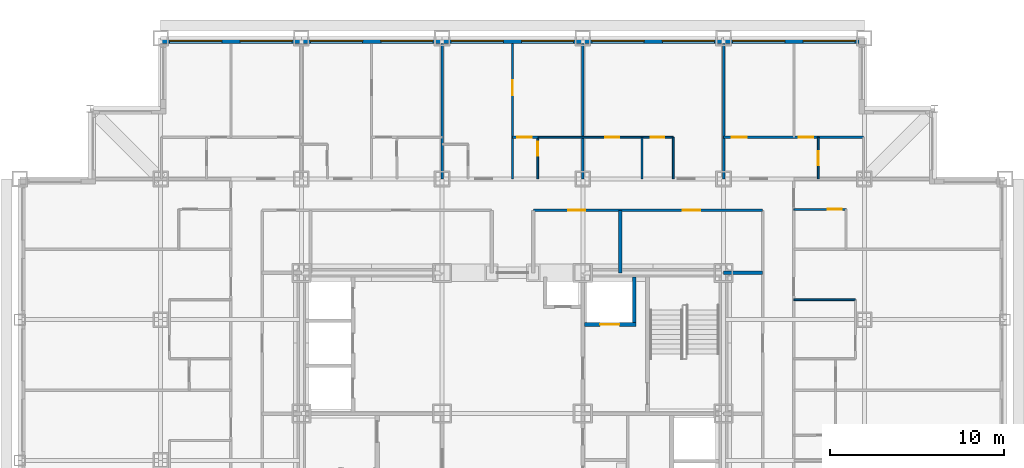
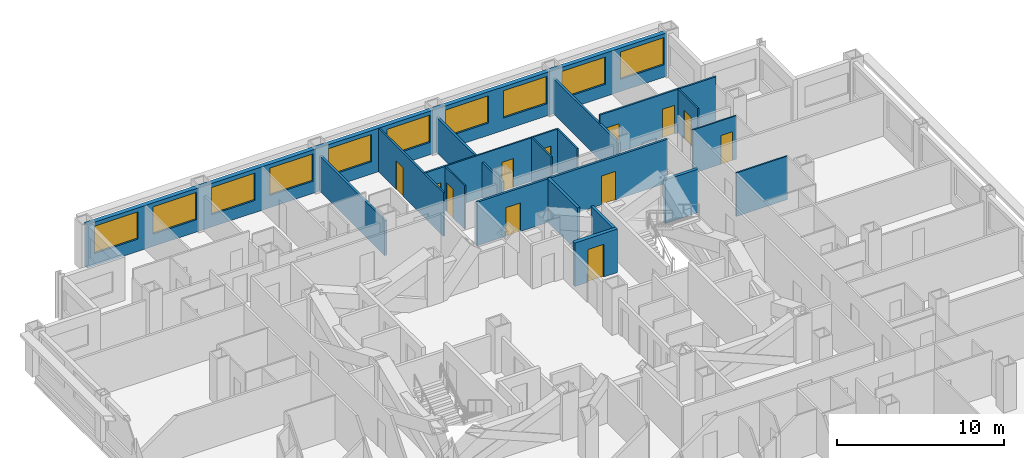
# One storey, part 10 of 13: 19 walls, 12 doors, 10 windows, 22 openings.
"""IFC4 building model written with IfcOpenShell, lengths in metres."""

from ifc_helpers import new_model, si_unit, direction, frame, frame_2d, origin, place, context, subcontext, project, spatial, rectangle, extrude, material, layer, layer_set, type_object, element, fill, save


model = new_model("IFC4")

# Units and contexts
model_context = context("Model", 3, precision=1e-05, world=origin(), true_north=direction((0.0, 1.0)))
body_context = subcontext(model_context, "Body", "Model", "MODEL_VIEW")
ifc_project = project(units=[si_unit("LENGTHUNIT", "METRE"), si_unit("AREAUNIT", "SQUARE_METRE"), si_unit("VOLUMEUNIT", "CUBIC_METRE"), si_unit("PLANEANGLEUNIT", "RADIAN"), si_unit("MASSUNIT", "GRAM", prefix="KILO")], contexts=[model_context])

# Site, building, storey
site_placement = place(None, origin())
site = spatial("IfcSite", under=ifc_project, at=site_placement, CompositionType="ELEMENT")
building_placement = place(site_placement, origin())
building = spatial("IfcBuilding", under=site, at=building_placement, Name="Kopane Lantern Tower", CompositionType="ELEMENT")
storey_placement = place(building_placement, frame((0.0, 0.0, 113.60009765625)))
storey = spatial("IfcBuildingStorey", under=building, at=storey_placement, Name="L28", CompositionType="ELEMENT", Elevation=113.60009765625)

# Wall, opening, door
ifc_material_1 = material(Name="Gypsum board on steel studs", Category="steel")
ifc_layer_1 = layer(ifc_material_1, 0.1201171875)
ifc_layer_set_1 = layer_set([ifc_layer_1], Name="APARTMENT INTERNAL WALL 120")
wall_type_1 = type_object("IfcWallType", Name="APARTMENT INTERNAL WALL 120", PredefinedType="PARTITIONING", material=ifc_layer_set_1)
wall_1_placement = place(storey_placement, frame((28.35009765625, 45.89990234375, 0.0), z_axis=(0.0, 0.0, 1.0), x_axis=(0.0, 1.0, 0.0)))
wall_1 = element("IfcWall", 1, at=wall_1_placement, inside=storey, type_object=wall_type_1, Name="Apartment Internal Wall 120 L28", PredefinedType="PARTITIONING", context=body_context, shape_type="SweptSolid", body=[
    extrude(rectangle(XDim=7.800048828125, YDim=0.1201171875, at=frame_2d((3.89990234375, 0.0))), origin(), (0.0, 0.0, 1.0), 3.18994140625),
])
opening_1_placement = place(wall_1_placement, frame((4.824951171875, 0.0, 0.0)))
opening_1 = element("IfcOpeningElement", 2, at=opening_1_placement, cuts=wall_1, Name="Opening L28-031", PredefinedType="OPENING", context=body_context, shape_type="SweptSolid", body=[
    extrude(rectangle(XDim=0.85009765625, YDim=2.10009765625, at=frame_2d((0.425048828125, 1.050048828125))), frame((0.0, 0.070068359375, 0.0), z_axis=(0.0, -1.0, 0.0), x_axis=(1.0, 0.0, 0.0)), (0.0, 0.0, 1.0), 0.14013671875),
])
ifc_material_2 = material(Name="Timber door set", Category="wood")
door_type_1 = type_object("IfcDoorType", Name="DOOR D4 850x2100", OperationType="SINGLE_SWING_LEFT", PredefinedType="DOOR", material=ifc_material_2)
door_1_placement = place(opening_1_placement, origin())
door_1 = element("IfcDoor", 3, at=door_1_placement, inside=storey, type_object=door_type_1, Name="Door L28-031", OperationType="SINGLE_SWING_RIGHT", OverallHeight=2.10009765625, OverallWidth=0.85009765625, PredefinedType="DOOR", context=body_context, shape_type="SweptSolid", body=[
    extrude(rectangle(XDim=0.85009765625, YDim=2.10009765625, at=frame_2d((0.425048828125, 1.050048828125))), frame((0.0, 0.02490234375, 0.0), z_axis=(0.0, -1.0, 0.0), x_axis=(1.0, 0.0, 0.0)), (0.0, 0.0, 1.0), 0.050048828125),
])
fill(opening_1, door_1)

# Wall, openings, doors
wall_2_placement = place(storey_placement, frame((40.5, 48.300048828125, 0.0), z_axis=(0.0, 0.0, 1.0), x_axis=(1.0, 0.0, 0.0)))
wall_2 = element("IfcWall", 4, at=wall_2_placement, inside=storey, type_object=wall_type_1, Name="Apartment Internal Wall 120 L28", PredefinedType="PARTITIONING", context=body_context, shape_type="SweptSolid", body=[
    extrude(rectangle(XDim=8.050048828125, YDim=0.1201171875, at=frame_2d((4.02490234375, 0.0))), origin(), (0.0, 0.0, 1.0), 3.18994140625),
])
opening_2_placement = place(wall_2_placement, frame((0.47509765625, 0.0, 0.0)))
opening_2 = element("IfcOpeningElement", 5, at=opening_2_placement, cuts=wall_2, Name="Opening L28-068", PredefinedType="OPENING", context=body_context, shape_type="SweptSolid", body=[
    extrude(rectangle(XDim=0.85009765625, YDim=2.10009765625, at=frame_2d((0.425048828125, 1.050048828125))), frame((0.0, 0.070068359375, 0.0), z_axis=(0.0, -1.0, 0.0), x_axis=(1.0, 0.0, 0.0)), (0.0, 0.0, 1.0), 0.14013671875),
])
opening_3_placement = place(wall_2_placement, frame((4.324951171875, 0.0, 0.0)))
opening_3 = element("IfcOpeningElement", 6, at=opening_3_placement, cuts=wall_2, Name="Opening L28-070", PredefinedType="OPENING", context=body_context, shape_type="SweptSolid", body=[
    extrude(rectangle(XDim=0.85009765625, YDim=2.10009765625, at=frame_2d((0.425048828125, 1.050048828125))), frame((0.0, 0.070068359375, 0.0), z_axis=(0.0, -1.0, 0.0), x_axis=(1.0, 0.0, 0.0)), (0.0, 0.0, 1.0), 0.14013671875),
])
door_2_placement = place(opening_2_placement, origin())
door_2 = element("IfcDoor", 7, at=door_2_placement, inside=storey, type_object=door_type_1, Name="Door L28-068", OperationType="SINGLE_SWING_RIGHT", OverallHeight=2.10009765625, OverallWidth=0.85009765625, PredefinedType="DOOR", context=body_context, shape_type="SweptSolid", body=[
    extrude(rectangle(XDim=0.85009765625, YDim=2.10009765625, at=frame_2d((0.425048828125, 1.050048828125))), frame((0.0, 0.02490234375, 0.0), z_axis=(0.0, -1.0, 0.0), x_axis=(1.0, 0.0, 0.0)), (0.0, 0.0, 1.0), 0.050048828125),
])
fill(opening_2, door_2)
door_3_placement = place(opening_3_placement, origin())
door_3 = element("IfcDoor", 8, at=door_3_placement, inside=storey, type_object=door_type_1, Name="Door L28-070", OperationType="SINGLE_SWING_LEFT", OverallHeight=2.10009765625, OverallWidth=0.85009765625, PredefinedType="DOOR", context=body_context, shape_type="SweptSolid", body=[
    extrude(rectangle(XDim=0.85009765625, YDim=2.10009765625, at=frame_2d((0.425048828125, 1.050048828125))), frame((0.0, 0.02490234375, 0.0), z_axis=(0.0, -1.0, 0.0), x_axis=(1.0, 0.0, 0.0)), (0.0, 0.0, 1.0), 0.050048828125),
])
fill(opening_3, door_3)

# Wall, opening, door
wall_3_placement = place(storey_placement, frame((28.35009765625, 48.300048828125, 0.0), z_axis=(0.0, 0.0, 1.0), x_axis=(1.0, 0.0, 0.0)))
wall_3 = element("IfcWall", 9, at=wall_3_placement, inside=storey, type_object=wall_type_1, Name="Apartment Internal Wall 120 L28", PredefinedType="PARTITIONING", context=body_context, shape_type="SweptSolid", body=[
    extrude(rectangle(XDim=1.4599609375, YDim=0.1201171875, at=frame_2d((0.72998046875, 0.0))), origin(), (0.0, 0.0, 1.0), 3.18994140625),
])
opening_4_placement = place(wall_3_placement, frame((0.27490234375, 0.0, 0.0)))
opening_4 = element("IfcOpeningElement", 10, at=opening_4_placement, cuts=wall_3, Name="Opening L28-079", PredefinedType="OPENING", context=body_context, shape_type="SweptSolid", body=[
    extrude(rectangle(XDim=0.85009765625, YDim=2.10009765625, at=frame_2d((0.425048828125, 1.050048828125))), frame((0.0, 0.070068359375, 0.0), z_axis=(0.0, -1.0, 0.0), x_axis=(1.0, 0.0, 0.0)), (0.0, 0.0, 1.0), 0.14013671875),
])
door_4_placement = place(opening_4_placement, origin())
door_4 = element("IfcDoor", 11, at=door_4_placement, inside=storey, type_object=door_type_1, Name="Door L28-079", OperationType="SINGLE_SWING_LEFT", OverallHeight=2.10009765625, OverallWidth=0.85009765625, PredefinedType="DOOR", context=body_context, shape_type="SweptSolid", body=[
    extrude(rectangle(XDim=0.85009765625, YDim=2.10009765625, at=frame_2d((0.425048828125, 1.050048828125))), frame((0.0, 0.02490234375, 0.0), z_axis=(0.0, -1.0, 0.0), x_axis=(1.0, 0.0, 0.0)), (0.0, 0.0, 1.0), 0.050048828125),
])
fill(opening_4, door_4)

# Wall, openings, doors
ifc_material_3 = material(Name="Moisture-resistant board on steel studs", Category="steel")
ifc_layer_2 = layer(ifc_material_3, 0.10009765625)
ifc_layer_set_2 = layer_set([ifc_layer_2], Name="BATHROOM WALL 100")
wall_type_2 = type_object("IfcWallType", Name="BATHROOM WALL 100", PredefinedType="PARTITIONING", material=ifc_layer_set_2)
wall_4_placement = place(storey_placement, frame((29.800048828125, 48.300048828125, 0.0), z_axis=(0.0, 0.0, 1.0), x_axis=(1.0, 0.0, 0.0)))
wall_4 = element("IfcWall", 12, at=wall_4_placement, inside=storey, type_object=wall_type_2, Name="Bathroom Wall 100 L28", PredefinedType="PARTITIONING", context=body_context, shape_type="SweptSolid", body=[
    extrude(rectangle(XDim=7.800048828125, YDim=0.10009765625, at=frame_2d((3.89990234375, 0.0))), origin(), (0.0, 0.0, 1.0), 3.18994140625),
])
opening_5_placement = place(wall_4_placement, frame((3.89990234375, 0.0, 0.0)))
opening_5 = element("IfcOpeningElement", 13, at=opening_5_placement, cuts=wall_4, Name="Opening L28-032", PredefinedType="OPENING", context=body_context, shape_type="SweptSolid", body=[
    extrude(rectangle(XDim=0.800048828125, YDim=2.10009765625, at=frame_2d((0.39990234375, 1.050048828125))), frame((0.0, 0.06005859375, 0.0), z_axis=(0.0, -1.0, 0.0), x_axis=(1.0, 0.0, 0.0)), (0.0, 0.0, 1.0), 0.1201171875),
])
opening_6_placement = place(wall_4_placement, frame((6.5, 0.0, 0.0)))
opening_6 = element("IfcOpeningElement", 14, at=opening_6_placement, cuts=wall_4, Name="Opening L28-033", PredefinedType="OPENING", context=body_context, shape_type="SweptSolid", body=[
    extrude(rectangle(XDim=0.800048828125, YDim=2.10009765625, at=frame_2d((0.39990234375, 1.050048828125))), frame((0.0, 0.06005859375, 0.0), z_axis=(0.0, -1.0, 0.0), x_axis=(1.0, 0.0, 0.0)), (0.0, 0.0, 1.0), 0.1201171875),
])
ifc_material_4 = material(Name="Timber door set", Category="wood")
door_type_2 = type_object("IfcDoorType", Name="DOOR D2 800x2100", OperationType="SINGLE_SWING_LEFT", PredefinedType="DOOR", material=ifc_material_4)
door_5_placement = place(opening_5_placement, origin())
door_5 = element("IfcDoor", 15, at=door_5_placement, inside=storey, type_object=door_type_2, Name="Door L28-032", OperationType="SINGLE_SWING_LEFT", OverallHeight=2.10009765625, OverallWidth=0.800048828125, PredefinedType="DOOR", context=body_context, shape_type="SweptSolid", body=[
    extrude(rectangle(XDim=0.800048828125, YDim=2.10009765625, at=frame_2d((0.39990234375, 1.050048828125))), frame((0.0, 0.02490234375, 0.0), z_axis=(0.0, -1.0, 0.0), x_axis=(1.0, 0.0, 0.0)), (0.0, 0.0, 1.0), 0.050048828125),
])
fill(opening_5, door_5)
door_6_placement = place(opening_6_placement, origin())
door_6 = element("IfcDoor", 16, at=door_6_placement, inside=storey, type_object=door_type_2, Name="Door L28-033", OperationType="SINGLE_SWING_LEFT", OverallHeight=2.10009765625, OverallWidth=0.800048828125, PredefinedType="DOOR", context=body_context, shape_type="SweptSolid", body=[
    extrude(rectangle(XDim=0.800048828125, YDim=2.10009765625, at=frame_2d((0.39990234375, 1.050048828125))), frame((0.0, 0.02490234375, 0.0), z_axis=(0.0, -1.0, 0.0), x_axis=(1.0, 0.0, 0.0)), (0.0, 0.0, 1.0), 0.050048828125),
])
fill(opening_6, door_6)

# Wall, opening, door
wall_5_placement = place(storey_placement, frame((29.800048828125, 45.89990234375, 0.0), z_axis=(0.0, 0.0, 1.0), x_axis=(0.0, 1.0, 0.0)))
wall_5 = element("IfcWall", 17, at=wall_5_placement, inside=storey, type_object=wall_type_2, Name="Bathroom Wall 100 L28", PredefinedType="PARTITIONING", context=body_context, shape_type="SweptSolid", body=[
    extrude(rectangle(XDim=2.400146484375, YDim=0.10009765625, at=frame_2d((1.2001953125, 0.0))), origin(), (0.0, 0.0, 1.0), 3.18994140625),
])
opening_7_placement = place(wall_5_placement, frame((1.35009765625, 0.0, 0.0)))
opening_7 = element("IfcOpeningElement", 18, at=opening_7_placement, cuts=wall_5, Name="Opening L28-030", PredefinedType="OPENING", context=body_context, shape_type="SweptSolid", body=[
    extrude(rectangle(XDim=0.800048828125, YDim=2.10009765625, at=frame_2d((0.39990234375, 1.050048828125))), frame((0.0, 0.06005859375, 0.0), z_axis=(0.0, -1.0, 0.0), x_axis=(1.0, 0.0, 0.0)), (0.0, 0.0, 1.0), 0.1201171875),
])
door_7_placement = place(opening_7_placement, origin())
door_7 = element("IfcDoor", 19, at=door_7_placement, inside=storey, type_object=door_type_2, Name="Door L28-030", OperationType="SINGLE_SWING_RIGHT", OverallHeight=2.10009765625, OverallWidth=0.800048828125, PredefinedType="DOOR", context=body_context, shape_type="SweptSolid", body=[
    extrude(rectangle(XDim=0.800048828125, YDim=2.10009765625, at=frame_2d((0.39990234375, 1.050048828125))), frame((0.0, 0.02490234375, 0.0), z_axis=(0.0, -1.0, 0.0), x_axis=(1.0, 0.0, 0.0)), (0.0, 0.0, 1.0), 0.050048828125),
])
fill(opening_7, door_7)

# Walls
for number, where, z_axis, x_axis, name in (
    (20, (35.800048828125, 45.89990234375, 0.0), (0.0, 0.0, 1.0), (0.0, 1.0, 0.0), "Bathroom Wall 100 L28"),
    (21, (37.60009765625, 45.89990234375, 0.0), (0.0, 0.0, 1.0), (0.0, 1.0, 0.0), "Bathroom Wall 100 L28"),
):
    element("IfcWall", number, at=place(storey_placement, frame(where, z_axis=z_axis, x_axis=x_axis)), inside=storey, type_object=wall_type_2, Name=name, PredefinedType="PARTITIONING", context=body_context, shape_type="SweptSolid", body=[
        extrude(rectangle(XDim=2.400146484375, YDim=0.10009765625, at=frame_2d((1.2001953125, 0.0))), origin(), (0.0, 0.0, 1.0), 3.18994140625),
    ])
wall_6_placement = place(storey_placement, frame((44.550048828125, 38.949951171875, 0.0), z_axis=(0.0, 0.0, 1.0), x_axis=(1.0, 0.0, 0.0)))
element("IfcWall", 22, at=wall_6_placement, inside=storey, type_object=wall_type_2, Name="Bathroom Wall 100 L28", PredefinedType="PARTITIONING", context=body_context, shape_type="SweptSolid", body=[
    extrude(rectangle(XDim=3.5400390625, YDim=0.10009765625, at=frame_2d((1.77001953125, 0.0))), origin(), (0.0, 0.0, 1.0), 3.18994140625),
])

# Wall, opening, door
wall_7_placement = place(storey_placement, frame((44.550048828125, 44.14990234375, 0.0), z_axis=(0.0, 0.0, 1.0), x_axis=(1.0, 0.0, 0.0)))
wall_7 = element("IfcWall", 23, at=wall_7_placement, inside=storey, type_object=wall_type_2, Name="Bathroom Wall 100 L28", PredefinedType="PARTITIONING", context=body_context, shape_type="SweptSolid", body=[
    extrude(rectangle(XDim=3.0, YDim=0.10009765625, at=frame_2d((1.5, 0.0))), origin(), (0.0, 0.0, 1.0), 3.18994140625),
])
opening_8_placement = place(wall_7_placement, frame((1.949951171875, 0.0, 0.0)))
opening_8 = element("IfcOpeningElement", 24, at=opening_8_placement, cuts=wall_7, Name="Opening L28-057", PredefinedType="OPENING", context=body_context, shape_type="SweptSolid", body=[
    extrude(rectangle(XDim=0.800048828125, YDim=2.10009765625, at=frame_2d((0.39990234375, 1.050048828125))), frame((0.0, 0.06005859375, 0.0), z_axis=(0.0, -1.0, 0.0), x_axis=(1.0, 0.0, 0.0)), (0.0, 0.0, 1.0), 0.1201171875),
])
door_8_placement = place(opening_8_placement, origin())
door_8 = element("IfcDoor", 25, at=door_8_placement, inside=storey, type_object=door_type_2, Name="Door L28-057", OperationType="SINGLE_SWING_LEFT", OverallHeight=2.10009765625, OverallWidth=0.800048828125, PredefinedType="DOOR", context=body_context, shape_type="SweptSolid", body=[
    extrude(rectangle(XDim=0.800048828125, YDim=2.10009765625, at=frame_2d((0.39990234375, 1.050048828125))), frame((0.0, 0.02490234375, 0.0), z_axis=(0.0, -1.0, 0.0), x_axis=(1.0, 0.0, 0.0)), (0.0, 0.0, 1.0), 0.050048828125),
])
fill(opening_8, door_8)

wall_8_placement = place(storey_placement, frame((45.949951171875, 45.89990234375, 0.0), z_axis=(0.0, 0.0, 1.0), x_axis=(0.0, 1.0, 0.0)))
wall_8 = element("IfcWall", 26, at=wall_8_placement, inside=storey, type_object=wall_type_2, Name="Bathroom Wall 100 L28", PredefinedType="PARTITIONING", context=body_context, shape_type="SweptSolid", body=[
    extrude(rectangle(XDim=2.400146484375, YDim=0.10009765625, at=frame_2d((1.2001953125, 0.0))), origin(), (0.0, 0.0, 1.0), 3.18994140625),
])
opening_9_placement = place(wall_8_placement, frame((0.800048828125, 0.0, 0.0)))
opening_9 = element("IfcOpeningElement", 27, at=opening_9_placement, cuts=wall_8, Name="Opening L28-069", PredefinedType="OPENING", context=body_context, shape_type="SweptSolid", body=[
    extrude(rectangle(XDim=0.800048828125, YDim=2.10009765625, at=frame_2d((0.39990234375, 1.050048828125))), frame((0.0, 0.06005859375, 0.0), z_axis=(0.0, -1.0, 0.0), x_axis=(1.0, 0.0, 0.0)), (0.0, 0.0, 1.0), 0.1201171875),
])
door_9_placement = place(opening_9_placement, origin())
door_9 = element("IfcDoor", 28, at=door_9_placement, inside=storey, type_object=door_type_2, Name="Door L28-069", OperationType="SINGLE_SWING_RIGHT", OverallHeight=2.10009765625, OverallWidth=0.800048828125, PredefinedType="DOOR", context=body_context, shape_type="SweptSolid", body=[
    extrude(rectangle(XDim=0.800048828125, YDim=2.10009765625, at=frame_2d((0.39990234375, 1.050048828125))), frame((0.0, 0.02490234375, 0.0), z_axis=(0.0, -1.0, 0.0), x_axis=(1.0, 0.0, 0.0)), (0.0, 0.0, 1.0), 0.050048828125),
])
fill(opening_9, door_9)

ifc_material_5 = material(Name="Gypsum shaft wall EI 120", Category="gypsum")
ifc_layer_3 = layer(ifc_material_5, 0.25)
ifc_layer_set_3 = layer_set([ifc_layer_3], Name="CORE SHAFT WALL 250 EI 120")
wall_type_3 = type_object("IfcWallType", Name="CORE SHAFT WALL 250 EI 120", PredefinedType="SOLIDWALL", material=ifc_layer_set_3)
wall_9_placement = place(storey_placement, frame((32.5, 37.52490234375, 0.0), z_axis=(0.0, 0.0, 1.0), x_axis=(1.0, 0.0, 0.0)))
wall_9 = element("IfcWall", 29, at=wall_9_placement, inside=storey, type_object=wall_type_3, Name="Core shaft wall L28 YLF2", PredefinedType="SOLIDWALL", context=body_context, shape_type="SweptSolid", body=[
    extrude(rectangle(XDim=2.949951171875, YDim=0.25, at=frame_2d((1.47509765625, 0.0))), origin(), (0.0, 0.0, 1.0), 3.18994140625),
])
opening_10_placement = place(wall_9_placement, frame((0.89990234375, 0.0, 0.0)))
opening_10 = element("IfcOpeningElement", 30, at=opening_10_placement, cuts=wall_9, Name="Opening 28.LD-LF2", PredefinedType="OPENING", context=body_context, shape_type="SweptSolid", body=[
    extrude(rectangle(XDim=1.10009765625, YDim=2.39990234375, at=frame_2d((0.550048828125, 1.199951171875))), frame((0.0, 0.135009765625, 0.0), z_axis=(0.0, -1.0, 0.0), x_axis=(1.0, 0.0, 0.0)), (0.0, 0.0, 1.0), 0.27001953125),
])
ifc_material_6 = material(Name="Steel door set", Category="steel")
door_type_3 = type_object("IfcDoorType", Name="LIFT LANDING DOOR 1100x2400 FD60", OperationType="DOUBLE_DOOR_SLIDING", PredefinedType="DOOR", material=ifc_material_6)
door_10_placement = place(opening_10_placement, origin())
door_10 = element("IfcDoor", 31, at=door_10_placement, inside=storey, type_object=door_type_3, Name="Landing door LF2 L28", OperationType="DOUBLE_DOOR_SLIDING", OverallHeight=2.39990234375, OverallWidth=1.10009765625, PredefinedType="DOOR", context=body_context, shape_type="SweptSolid", body=[
    extrude(rectangle(XDim=1.10009765625, YDim=2.39990234375, at=frame_2d((0.550048828125, 1.199951171875))), frame((0.0, 0.02490234375, 0.0), z_axis=(0.0, -1.0, 0.0), x_axis=(1.0, 0.0, 0.0)), (0.0, 0.0, 1.0), 0.050048828125),
])
fill(opening_10, door_10)

# Wall, openings, doors
ifc_material_7 = material(Name="Gypsum board on steel studs", Category="steel")
ifc_layer_4 = layer(ifc_material_7, 0.14990234375)
ifc_layer_set_4 = layer_set([ifc_layer_4], Name="CORRIDOR WALL 150 EI 60")
wall_type_4 = type_object("IfcWallType", Name="CORRIDOR WALL 150 EI 60", PredefinedType="PARTITIONING", material=ifc_layer_set_4)
wall_10_placement = place(storey_placement, frame((42.75, 44.10009765625, 0.0), z_axis=(0.0, 0.0, 1.0), x_axis=(-1.0, 0.0, 0.0)))
wall_10 = element("IfcWall", 32, at=wall_10_placement, inside=storey, type_object=wall_type_4, Name="Corridor Wall 150 Ei 60 L28", PredefinedType="PARTITIONING", context=body_context, shape_type="SweptSolid", body=[
    extrude(rectangle(XDim=13.18994140625, YDim=0.14990234375, at=frame_2d((6.594970703125, 0.0))), origin(), (0.0, 0.0, 1.0), 3.18994140625),
])
opening_11_placement = place(wall_10_placement, frame((10.199951171875, 0.0, 0.0)))
opening_11 = element("IfcOpeningElement", 33, at=opening_11_placement, cuts=wall_10, Name="Opening L28-011", PredefinedType="OPENING", context=body_context, shape_type="SweptSolid", body=[
    extrude(rectangle(XDim=1.0, YDim=2.10009765625, at=frame_2d((0.5, 1.050048828125))), frame((0.0, 0.0849609375, 0.0), z_axis=(0.0, -1.0, 0.0), x_axis=(1.0, 0.0, 0.0)), (0.0, 0.0, 1.0), 0.169921875),
])
opening_12_placement = place(wall_10_placement, frame((3.60009765625, 0.0, 0.0)))
opening_12 = element("IfcOpeningElement", 34, at=opening_12_placement, cuts=wall_10, Name="Opening L28-012", PredefinedType="OPENING", context=body_context, shape_type="SweptSolid", body=[
    extrude(rectangle(XDim=1.0, YDim=2.10009765625, at=frame_2d((0.5, 1.050048828125))), frame((0.0, 0.0849609375, 0.0), z_axis=(0.0, -1.0, 0.0), x_axis=(1.0, 0.0, 0.0)), (0.0, 0.0, 1.0), 0.169921875),
])
ifc_material_8 = material(Name="Steel door set", Category="steel")
door_type_4 = type_object("IfcDoorType", Name="DOOR D5 1000x2100 FD60", OperationType="SINGLE_SWING_LEFT", PredefinedType="DOOR", material=ifc_material_8)
door_11_placement = place(opening_11_placement, origin())
door_11 = element("IfcDoor", 35, at=door_11_placement, inside=storey, type_object=door_type_4, Name="Door L28-011", OperationType="SINGLE_SWING_RIGHT", OverallHeight=2.10009765625, OverallWidth=1.0, PredefinedType="DOOR", context=body_context, shape_type="SweptSolid", body=[
    extrude(rectangle(XDim=1.0, YDim=2.10009765625, at=frame_2d((0.5, 1.050048828125))), frame((0.0, 0.02490234375, 0.0), z_axis=(0.0, -1.0, 0.0), x_axis=(1.0, 0.0, 0.0)), (0.0, 0.0, 1.0), 0.050048828125),
])
fill(opening_11, door_11)
door_12_placement = place(opening_12_placement, origin())
door_12 = element("IfcDoor", 36, at=door_12_placement, inside=storey, type_object=door_type_4, Name="Door L28-012", OperationType="SINGLE_SWING_LEFT", OverallHeight=2.10009765625, OverallWidth=1.0, PredefinedType="DOOR", context=body_context, shape_type="SweptSolid", body=[
    extrude(rectangle(XDim=1.0, YDim=2.10009765625, at=frame_2d((0.5, 1.050048828125))), frame((0.0, 0.02490234375, 0.0), z_axis=(0.0, -1.0, 0.0), x_axis=(1.0, 0.0, 0.0)), (0.0, 0.0, 1.0), 0.050048828125),
])
fill(opening_12, door_12)

# Walls
ifc_material_9 = material(Name="Gypsum board on steel studs", Category="steel")
ifc_layer_5 = layer(ifc_material_9, 0.14990234375)
ifc_layer_set_5 = layer_set([ifc_layer_5], Name="DEMISING WALL 150 EI 60")
wall_type_5 = type_object("IfcWallType", Name="DEMISING WALL 150 EI 60", PredefinedType="PARTITIONING", material=ifc_layer_set_5)
for number, where, z_axis, x_axis, name in (
    (37, (24.300048828125, 45.89990234375, 0.0), (0.0, 0.0, 1.0), (0.0, 1.0, 0.0), "Demising Wall 150 Ei 60 L28"),
    (38, (32.39990234375, 45.89990234375, 0.0), (0.0, 0.0, 1.0), (0.0, 1.0, 0.0), "Demising Wall 150 Ei 60 L28"),
    (39, (40.5, 45.89990234375, 0.0), (0.0, 0.0, 1.0), (0.0, 1.0, 0.0), "Demising Wall 150 Ei 60 L28"),
):
    element("IfcWall", number, at=place(storey_placement, frame(where, z_axis=z_axis, x_axis=x_axis)), inside=storey, type_object=wall_type_5, Name=name, PredefinedType="PARTITIONING", context=body_context, shape_type="SweptSolid", body=[
        extrude(rectangle(XDim=7.800048828125, YDim=0.14990234375, at=frame_2d((3.89990234375, 0.0))), origin(), (0.0, 0.0, 1.0), 2.57763671875),
    ])

# Wall, openings, windows
ifc_material_10 = material(Name="Terracotta rainscreen on light steel framing", Category="masonry")
ifc_layer_6 = layer(ifc_material_10, 0.300048828125)
ifc_layer_set_6 = layer_set([ifc_layer_6], Name="EXTERNAL WALL EW1 300 TERRACOTTA")
wall_type_6 = type_object("IfcWallType", Name="EXTERNAL WALL EW1 300 TERRACOTTA", PredefinedType="SOLIDWALL", material=ifc_layer_set_6)
wall_11_placement = place(storey_placement, frame((48.300048828125, 53.85009765625, 0.0), z_axis=(0.0, 0.0, 1.0), x_axis=(-1.0, 0.0, 0.0)))
wall_11 = element("IfcWall", 40, at=wall_11_placement, inside=storey, type_object=wall_type_6, Name="External wall N L28", PredefinedType="SOLIDWALL", context=body_context, shape_type="SweptSolid", body=[
    extrude(rectangle(XDim=40.199951171875, YDim=0.300048828125, at=frame_2d((20.10009765625, 0.0))), origin(), (0.0, 0.0, 1.0), 3.18994140625),
])
opening_13_placement = place(wall_11_placement, frame((0.22509765625, 0.0, 0.89990234375)))
opening_13 = element("IfcOpeningElement", 41, at=opening_13_placement, cuts=wall_11, Name="Opening WR300200", PredefinedType="OPENING", context=body_context, shape_type="SweptSolid", body=[
    extrude(rectangle(XDim=3.0, YDim=2.0, at=frame_2d((1.5, 1.0))), frame((0.0, 0.159912109375, 0.0), z_axis=(0.0, -1.0, 0.0), x_axis=(1.0, 0.0, 0.0)), (0.0, 0.0, 1.0), 0.320068359375),
])
opening_14_placement = place(wall_11_placement, frame((4.27490234375, 0.0, 0.89990234375)))
opening_14 = element("IfcOpeningElement", 42, at=opening_14_placement, cuts=wall_11, Name="Opening WR300200", PredefinedType="OPENING", context=body_context, shape_type="SweptSolid", body=[
    extrude(rectangle(XDim=3.0, YDim=2.0, at=frame_2d((1.5, 1.0))), frame((0.0, 0.159912109375, 0.0), z_axis=(0.0, -1.0, 0.0), x_axis=(1.0, 0.0, 0.0)), (0.0, 0.0, 1.0), 0.320068359375),
])
opening_15_placement = place(wall_11_placement, frame((8.324951171875, 0.0, 0.89990234375)))
opening_15 = element("IfcOpeningElement", 43, at=opening_15_placement, cuts=wall_11, Name="Opening WR300200", PredefinedType="OPENING", context=body_context, shape_type="SweptSolid", body=[
    extrude(rectangle(XDim=3.0, YDim=2.0, at=frame_2d((1.5, 1.0))), frame((0.0, 0.159912109375, 0.0), z_axis=(0.0, -1.0, 0.0), x_axis=(1.0, 0.0, 0.0)), (0.0, 0.0, 1.0), 0.320068359375),
])
opening_16_placement = place(wall_11_placement, frame((12.375, 0.0, 0.89990234375)))
opening_16 = element("IfcOpeningElement", 44, at=opening_16_placement, cuts=wall_11, Name="Opening WR300200", PredefinedType="OPENING", context=body_context, shape_type="SweptSolid", body=[
    extrude(rectangle(XDim=3.0, YDim=2.0, at=frame_2d((1.5, 1.0))), frame((0.0, 0.159912109375, 0.0), z_axis=(0.0, -1.0, 0.0), x_axis=(1.0, 0.0, 0.0)), (0.0, 0.0, 1.0), 0.320068359375),
])
opening_17_placement = place(wall_11_placement, frame((16.425048828125, 0.0, 0.89990234375)))
opening_17 = element("IfcOpeningElement", 45, at=opening_17_placement, cuts=wall_11, Name="Opening WR300200", PredefinedType="OPENING", context=body_context, shape_type="SweptSolid", body=[
    extrude(rectangle(XDim=3.0, YDim=2.0, at=frame_2d((1.5, 1.0))), frame((0.0, 0.159912109375, 0.0), z_axis=(0.0, -1.0, 0.0), x_axis=(1.0, 0.0, 0.0)), (0.0, 0.0, 1.0), 0.320068359375),
])
opening_18_placement = place(wall_11_placement, frame((20.47509765625, 0.0, 0.89990234375)))
opening_18 = element("IfcOpeningElement", 46, at=opening_18_placement, cuts=wall_11, Name="Opening WR300200", PredefinedType="OPENING", context=body_context, shape_type="SweptSolid", body=[
    extrude(rectangle(XDim=3.0, YDim=2.0, at=frame_2d((1.5, 1.0))), frame((0.0, 0.159912109375, 0.0), z_axis=(0.0, -1.0, 0.0), x_axis=(1.0, 0.0, 0.0)), (0.0, 0.0, 1.0), 0.320068359375),
])
opening_19_placement = place(wall_11_placement, frame((24.52490234375, 0.0, 0.89990234375)))
opening_19 = element("IfcOpeningElement", 47, at=opening_19_placement, cuts=wall_11, Name="Opening WR300200", PredefinedType="OPENING", context=body_context, shape_type="SweptSolid", body=[
    extrude(rectangle(XDim=3.0, YDim=2.0, at=frame_2d((1.5, 1.0))), frame((0.0, 0.159912109375, 0.0), z_axis=(0.0, -1.0, 0.0), x_axis=(1.0, 0.0, 0.0)), (0.0, 0.0, 1.0), 0.320068359375),
])
opening_20_placement = place(wall_11_placement, frame((28.574951171875, 0.0, 0.89990234375)))
opening_20 = element("IfcOpeningElement", 48, at=opening_20_placement, cuts=wall_11, Name="Opening WR300200", PredefinedType="OPENING", context=body_context, shape_type="SweptSolid", body=[
    extrude(rectangle(XDim=3.0, YDim=2.0, at=frame_2d((1.5, 1.0))), frame((0.0, 0.159912109375, 0.0), z_axis=(0.0, -1.0, 0.0), x_axis=(1.0, 0.0, 0.0)), (0.0, 0.0, 1.0), 0.320068359375),
])
opening_21_placement = place(wall_11_placement, frame((32.625, 0.0, 0.89990234375)))
opening_21 = element("IfcOpeningElement", 49, at=opening_21_placement, cuts=wall_11, Name="Opening WR300200", PredefinedType="OPENING", context=body_context, shape_type="SweptSolid", body=[
    extrude(rectangle(XDim=3.0, YDim=2.0, at=frame_2d((1.5, 1.0))), frame((0.0, 0.159912109375, 0.0), z_axis=(0.0, -1.0, 0.0), x_axis=(1.0, 0.0, 0.0)), (0.0, 0.0, 1.0), 0.320068359375),
])
opening_22_placement = place(wall_11_placement, frame((36.675048828125, 0.0, 0.89990234375)))
opening_22 = element("IfcOpeningElement", 50, at=opening_22_placement, cuts=wall_11, Name="Opening WR300200", PredefinedType="OPENING", context=body_context, shape_type="SweptSolid", body=[
    extrude(rectangle(XDim=3.0, YDim=2.0, at=frame_2d((1.5, 1.0))), frame((0.0, 0.159912109375, 0.0), z_axis=(0.0, -1.0, 0.0), x_axis=(1.0, 0.0, 0.0)), (0.0, 0.0, 1.0), 0.320068359375),
])
ifc_material_11 = material(Name="Aluminium and clear glass", Category="aluminium")
window_type = type_object("IfcWindowType", Name="RIBBON WINDOW WR300200 3000x2000", PartitioningType="SINGLE_PANEL", PredefinedType="WINDOW", material=ifc_material_11)
window_1_placement = place(opening_13_placement, origin())
window_1 = element("IfcWindow", 51, at=window_1_placement, inside=storey, type_object=window_type, Name="Window N L28", OverallHeight=2.0, OverallWidth=3.0, PartitioningType="SINGLE_PANEL", PredefinedType="WINDOW", context=body_context, shape_type="SweptSolid", body=[
    extrude(rectangle(XDim=3.0, YDim=2.0, at=frame_2d((1.5, 1.0))), frame((0.0, 0.030029296875, 0.0), z_axis=(0.0, -1.0, 0.0), x_axis=(1.0, 0.0, 0.0)), (0.0, 0.0, 1.0), 0.06005859375),
])
fill(opening_13, window_1)
window_2_placement = place(opening_14_placement, origin())
window_2 = element("IfcWindow", 52, at=window_2_placement, inside=storey, type_object=window_type, Name="Window N L28", OverallHeight=2.0, OverallWidth=3.0, PartitioningType="SINGLE_PANEL", PredefinedType="WINDOW", context=body_context, shape_type="SweptSolid", body=[
    extrude(rectangle(XDim=3.0, YDim=2.0, at=frame_2d((1.5, 1.0))), frame((0.0, 0.030029296875, 0.0), z_axis=(0.0, -1.0, 0.0), x_axis=(1.0, 0.0, 0.0)), (0.0, 0.0, 1.0), 0.06005859375),
])
fill(opening_14, window_2)
window_3_placement = place(opening_15_placement, origin())
window_3 = element("IfcWindow", 53, at=window_3_placement, inside=storey, type_object=window_type, Name="Window N L28", OverallHeight=2.0, OverallWidth=3.0, PartitioningType="SINGLE_PANEL", PredefinedType="WINDOW", context=body_context, shape_type="SweptSolid", body=[
    extrude(rectangle(XDim=3.0, YDim=2.0, at=frame_2d((1.5, 1.0))), frame((0.0, 0.030029296875, 0.0), z_axis=(0.0, -1.0, 0.0), x_axis=(1.0, 0.0, 0.0)), (0.0, 0.0, 1.0), 0.06005859375),
])
fill(opening_15, window_3)
window_4_placement = place(opening_16_placement, origin())
window_4 = element("IfcWindow", 54, at=window_4_placement, inside=storey, type_object=window_type, Name="Window N L28", OverallHeight=2.0, OverallWidth=3.0, PartitioningType="SINGLE_PANEL", PredefinedType="WINDOW", context=body_context, shape_type="SweptSolid", body=[
    extrude(rectangle(XDim=3.0, YDim=2.0, at=frame_2d((1.5, 1.0))), frame((0.0, 0.030029296875, 0.0), z_axis=(0.0, -1.0, 0.0), x_axis=(1.0, 0.0, 0.0)), (0.0, 0.0, 1.0), 0.06005859375),
])
fill(opening_16, window_4)
window_5_placement = place(opening_17_placement, origin())
window_5 = element("IfcWindow", 55, at=window_5_placement, inside=storey, type_object=window_type, Name="Window N L28", OverallHeight=2.0, OverallWidth=3.0, PartitioningType="SINGLE_PANEL", PredefinedType="WINDOW", context=body_context, shape_type="SweptSolid", body=[
    extrude(rectangle(XDim=3.0, YDim=2.0, at=frame_2d((1.5, 1.0))), frame((0.0, 0.030029296875, 0.0), z_axis=(0.0, -1.0, 0.0), x_axis=(1.0, 0.0, 0.0)), (0.0, 0.0, 1.0), 0.06005859375),
])
fill(opening_17, window_5)
window_6_placement = place(opening_18_placement, origin())
window_6 = element("IfcWindow", 56, at=window_6_placement, inside=storey, type_object=window_type, Name="Window N L28", OverallHeight=2.0, OverallWidth=3.0, PartitioningType="SINGLE_PANEL", PredefinedType="WINDOW", context=body_context, shape_type="SweptSolid", body=[
    extrude(rectangle(XDim=3.0, YDim=2.0, at=frame_2d((1.5, 1.0))), frame((0.0, 0.030029296875, 0.0), z_axis=(0.0, -1.0, 0.0), x_axis=(1.0, 0.0, 0.0)), (0.0, 0.0, 1.0), 0.06005859375),
])
fill(opening_18, window_6)
window_7_placement = place(opening_19_placement, origin())
window_7 = element("IfcWindow", 57, at=window_7_placement, inside=storey, type_object=window_type, Name="Window N L28", OverallHeight=2.0, OverallWidth=3.0, PartitioningType="SINGLE_PANEL", PredefinedType="WINDOW", context=body_context, shape_type="SweptSolid", body=[
    extrude(rectangle(XDim=3.0, YDim=2.0, at=frame_2d((1.5, 1.0))), frame((0.0, 0.030029296875, 0.0), z_axis=(0.0, -1.0, 0.0), x_axis=(1.0, 0.0, 0.0)), (0.0, 0.0, 1.0), 0.06005859375),
])
fill(opening_19, window_7)
window_8_placement = place(opening_20_placement, origin())
window_8 = element("IfcWindow", 58, at=window_8_placement, inside=storey, type_object=window_type, Name="Window N L28", OverallHeight=2.0, OverallWidth=3.0, PartitioningType="SINGLE_PANEL", PredefinedType="WINDOW", context=body_context, shape_type="SweptSolid", body=[
    extrude(rectangle(XDim=3.0, YDim=2.0, at=frame_2d((1.5, 1.0))), frame((0.0, 0.030029296875, 0.0), z_axis=(0.0, -1.0, 0.0), x_axis=(1.0, 0.0, 0.0)), (0.0, 0.0, 1.0), 0.06005859375),
])
fill(opening_20, window_8)
window_9_placement = place(opening_21_placement, origin())
window_9 = element("IfcWindow", 59, at=window_9_placement, inside=storey, type_object=window_type, Name="Window N L28", OverallHeight=2.0, OverallWidth=3.0, PartitioningType="SINGLE_PANEL", PredefinedType="WINDOW", context=body_context, shape_type="SweptSolid", body=[
    extrude(rectangle(XDim=3.0, YDim=2.0, at=frame_2d((1.5, 1.0))), frame((0.0, 0.030029296875, 0.0), z_axis=(0.0, -1.0, 0.0), x_axis=(1.0, 0.0, 0.0)), (0.0, 0.0, 1.0), 0.06005859375),
])
fill(opening_21, window_9)
window_10_placement = place(opening_22_placement, origin())
window_10 = element("IfcWindow", 60, at=window_10_placement, inside=storey, type_object=window_type, Name="Window N L28", OverallHeight=2.0, OverallWidth=3.0, PartitioningType="SINGLE_PANEL", PredefinedType="WINDOW", context=body_context, shape_type="SweptSolid", body=[
    extrude(rectangle(XDim=3.0, YDim=2.0, at=frame_2d((1.5, 1.0))), frame((0.0, 0.030029296875, 0.0), z_axis=(0.0, -1.0, 0.0), x_axis=(1.0, 0.0, 0.0)), (0.0, 0.0, 1.0), 0.06005859375),
])
fill(opening_22, window_10)

# Walls
ifc_material_12 = material(Name="Concrete masonry", Category="masonry")
ifc_layer_7 = layer(ifc_material_12, 0.199951171875)
ifc_layer_set_7 = layer_set([ifc_layer_7], Name="PLANT ROOM WALL 200 EI 120")
wall_type_7 = type_object("IfcWallType", Name="PLANT ROOM WALL 200 EI 120", PredefinedType="SOLIDWALL", material=ifc_layer_set_7)
wall_12_placement = place(storey_placement, frame((34.550048828125, 44.10009765625, 0.0), z_axis=(0.0, 0.0, 1.0), x_axis=(0.0, -1.0, 0.0)))
element("IfcWall", 61, at=wall_12_placement, inside=storey, type_object=wall_type_7, Name="Plant Room Wall 200 Ei 120 L28", PredefinedType="SOLIDWALL", context=body_context, shape_type="SweptSolid", body=[
    extrude(rectangle(XDim=3.60009765625, YDim=0.199951171875, at=frame_2d((1.800048828125, 0.0))), origin(), (0.0, 0.0, 1.0), 3.18994140625),
])
wall_13_placement = place(storey_placement, frame((40.5, 40.5, 0.0), z_axis=(0.0, 0.0, 1.0), x_axis=(1.0, 0.0, 0.0)))
element("IfcWall", 62, at=wall_13_placement, inside=storey, type_object=wall_type_7, Name="Plant Room Wall 200 Ei 120 L28", PredefinedType="SOLIDWALL", context=body_context, shape_type="SweptSolid", body=[
    extrude(rectangle(XDim=2.25, YDim=0.199951171875, at=frame_2d((1.125, 0.0))), origin(), (0.0, 0.0, 1.0), 3.18994140625),
])
ifc_material_13 = material(Name="Gypsum shaft wall EI 120", Category="gypsum")
ifc_layer_8 = layer(ifc_material_13, 0.199951171875)
ifc_layer_set_8 = layer_set([ifc_layer_8], Name="SHAFT WALL 200 EI 120")
wall_type_8 = type_object("IfcWallType", Name="SHAFT WALL 200 EI 120", PredefinedType="SOLIDWALL", material=ifc_layer_set_8)
wall_14_placement = place(storey_placement, frame((35.35009765625, 37.64990234375, 0.0), z_axis=(0.0, 0.0, 1.0), x_axis=(0.0, 1.0, 0.0)))
element("IfcWall", 63, at=wall_14_placement, inside=storey, type_object=wall_type_8, Name="Core shaft wall L28 XLF2", PredefinedType="SOLIDWALL", context=body_context, shape_type="SweptSolid", body=[
    extrude(rectangle(XDim=2.60009765625, YDim=0.199951171875, at=frame_2d((1.300048828125, 0.0))), origin(), (0.0, 0.0, 1.0), 3.18994140625),
])

save(model, "model.ifc")
